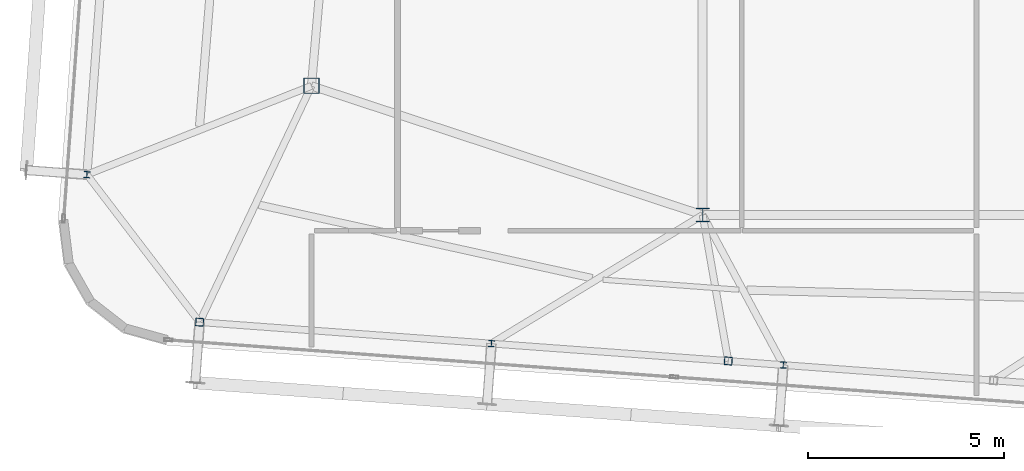
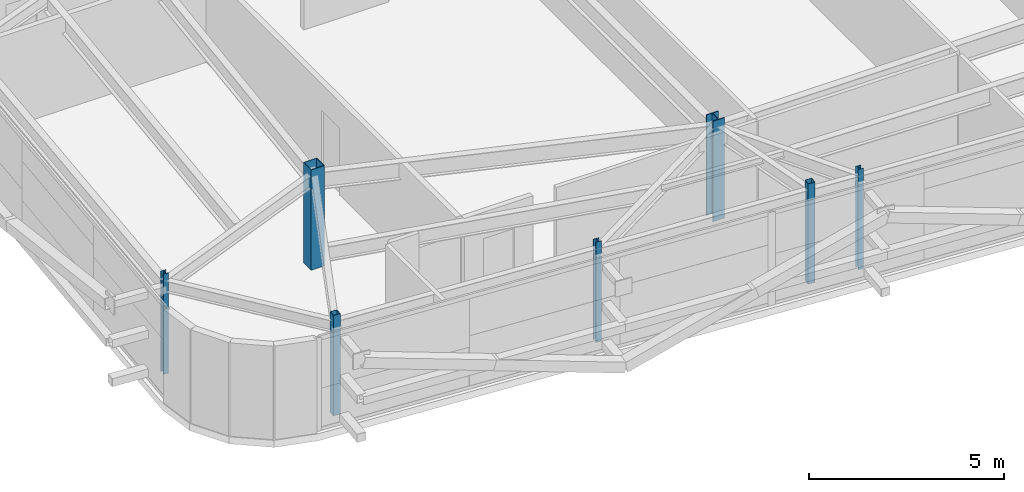
# One storey, part 1 of 34: 7 columns.
"""IFC4 building model written with IfcOpenShell, lengths in metres."""

from ifc_helpers import new_model, si_unit, direction, frame, origin, origin_2d, place, context, subcontext, project, spatial, hollow_rectangle, i_section, extrude, source, transform, mapped, material, material_profile, profile_set, type_object, element, save


model = new_model("IFC4")

# Units and contexts
model_context = context("Model", 3, precision=1e-05, world=origin(), true_north=direction((0.0, 1.0)))
body_context = subcontext(model_context, "Body", "Model", "MODEL_VIEW")
ifc_project = project(units=[si_unit("LENGTHUNIT", "METRE"), si_unit("AREAUNIT", "SQUARE_METRE"), si_unit("VOLUMEUNIT", "CUBIC_METRE"), si_unit("PLANEANGLEUNIT", "RADIAN"), si_unit("MASSUNIT", "GRAM", prefix="KILO")], contexts=[model_context])

# Site, building, storey
site_placement = place(None, origin())
site = spatial("IfcSite", under=ifc_project, at=site_placement, CompositionType="ELEMENT")
building_placement = place(site_placement, origin())
building = spatial("IfcBuilding", under=site, at=building_placement, Name="Taldren Reach Tower", CompositionType="ELEMENT")
storey_placement = place(building_placement, frame((0.0, 0.0, 239.75)))
storey = spatial("IfcBuildingStorey", under=building, at=storey_placement, Name="L73", CompositionType="ELEMENT", Elevation=239.75)

# Columns
ifc_material_1 = material(Name="Steel Gr 350 (350PLUS)", Category="steel")
ifc_material_profile_1 = material_profile(ifc_material_1, i_section(OverallWidth=0.35009765625, OverallDepth=0.35595703125, WebThickness=0.01806640625, FlangeThickness=0.028076171875, at=origin_2d()), Name="350WC197")
ifc_profile_set_1 = profile_set([ifc_material_profile_1], Name="Steel Gr 350 (350PLUS)")
column_type_1 = type_object("IfcColumnType", Name="COL-WC350", PredefinedType="COLUMN", material=ifc_profile_set_1)
shared_shape_1 = source(origin(), body_context, "Body", "SweptSolid", [
    extrude(i_section(OverallWidth=0.35009765625, OverallDepth=0.35595703125, WebThickness=0.01806640625, FlangeThickness=0.028076171875, at=origin_2d()), origin(), (0.0, 0.0, 1.0), 3.14990234375),
])
column_1_placement = place(storey_placement, frame((28.0, 9.199951171875, 0.0), z_axis=(0.0, 0.0, 1.0), x_axis=(1.0, 0.0, 0.0)))
element("IfcColumn", 1, at=column_1_placement, inside=storey, type_object=column_type_1, Name="Mega column MC-PJW L73", PredefinedType="COLUMN", context=body_context, shape_type="MappedRepresentation", body=[
    mapped(shared_shape_1, transform((0.0, 0.0, 0.0), scale=1.0)),
])
ifc_material_2 = material(Name="Steel Gr 450 (C450L0)", Category="steel")
ifc_material_profile_2 = material_profile(ifc_material_2, hollow_rectangle(XDim=0.39990234375, YDim=0.39990234375, WallThickness=0.01611328125, at=origin_2d()), Name="400x400x16.0SHS")
ifc_profile_set_2 = profile_set([ifc_material_profile_2], Name="Steel Gr 450 (C450L0)")
column_type_2 = type_object("IfcColumnType", Name="COL-SHS400", PredefinedType="COLUMN", material=ifc_profile_set_2)
shared_shape_2 = source(origin(), body_context, "Body", "SweptSolid", [
    extrude(hollow_rectangle(XDim=0.39990234375, YDim=0.39990234375, WallThickness=0.01611328125, at=origin_2d()), origin(), (0.0, 0.0, 1.0), 3.14990234375),
])
column_2_placement = place(storey_placement, frame((18.0, 12.5, 0.0), z_axis=(0.0, 0.0, 1.0), x_axis=(1.0, 0.0, 0.0)))
element("IfcColumn", 2, at=column_2_placement, inside=storey, type_object=column_type_2, Name="Mega column MC-SW L73", PredefinedType="COLUMN", context=body_context, shape_type="MappedRepresentation", body=[
    mapped(shared_shape_2, transform((0.0, 0.0, 0.0), scale=1.0)),
])
ifc_material_3 = material(Name="Steel Gr 350 (C350L0)", Category="steel")
ifc_material_profile_3 = material_profile(ifc_material_3, hollow_rectangle(XDim=0.199951171875, YDim=0.199951171875, WallThickness=0.009033203125, at=origin_2d()), Name="200x200x9.0SHS")
ifc_profile_set_3 = profile_set([ifc_material_profile_3], Name="Steel Gr 350 (C350L0)")
column_type_3 = type_object("IfcColumnType", Name="COL-SHS200", PredefinedType="COLUMN", material=ifc_profile_set_3)
shared_shape_3 = source(origin(), body_context, "Body", "SweptSolid", [
    extrude(hollow_rectangle(XDim=0.199951171875, YDim=0.199951171875, WallThickness=0.009033203125, at=origin_2d()), origin(), (0.0, 0.0, 1.0), 3.14990234375),
])
for number, where, z_axis, x_axis, name in (
    (3, (15.140625, 6.460205078125, 0.0), (0.0, 0.0, 1.0), (0.997314477224, -0.073238197128, 0.0), "Block B5 perimeter column S1 L73"),
    (4, (28.654296875, 5.4677734375, 0.0), (0.0, 0.0, 1.0), (0.997314477224, -0.073238197128, 0.0), "Block B5 perimeter column PJ1 L73"),
):
    element("IfcColumn", number, at=place(storey_placement, frame(where, z_axis=z_axis, x_axis=x_axis)), inside=storey, type_object=column_type_3, Name=name, PredefinedType="COLUMN", context=body_context, shape_type="MappedRepresentation", body=[
        mapped(shared_shape_3, transform((0.0, 0.0, 0.0), scale=1.0)),
    ])
ifc_material_profile_4 = material_profile(ifc_material_1, i_section(OverallWidth=0.154052734375, OverallDepth=0.162109375, WebThickness=0.008056640625, FlangeThickness=0.011474609375, at=origin_2d()), Name="150UC37.2")
ifc_profile_set_4 = profile_set([ifc_material_profile_4], Name="Steel Gr 350 (350PLUS)")
column_type_4 = type_object("IfcColumnType", Name="COL-UC150", PredefinedType="COLUMN", material=ifc_profile_set_4)
shared_shape_4 = source(origin(), body_context, "Body", "SweptSolid", [
    extrude(i_section(OverallWidth=0.154052734375, OverallDepth=0.162109375, WebThickness=0.008056640625, FlangeThickness=0.011474609375, at=origin_2d()), origin(), (0.0, 0.0, 1.0), 3.14990234375),
])
for number, where, z_axis, x_axis, name in (
    (5, (22.6005859375, 5.912353515625, 0.0), (0.0, 0.0, 1.0), (0.997314477224, -0.073238197128, 0.0), "Block B5 perimeter column S2 L73"),
    (6, (30.060546875, 5.364501953125, 0.0), (0.0, 0.0, 1.0), (0.997314477224, -0.073238197128, 0.0), "Block B5 perimeter column S3 L73"),
    (7, (12.259033203125, 10.2314453125, 0.0), (0.0, 0.0, 1.0), (0.997314477224, -0.073238197128, 0.0), "Block B5 perimeter column W1 L73"),
):
    element("IfcColumn", number, at=place(storey_placement, frame(where, z_axis=z_axis, x_axis=x_axis)), inside=storey, type_object=column_type_4, Name=name, PredefinedType="COLUMN", context=body_context, shape_type="MappedRepresentation", body=[
        mapped(shared_shape_4, transform((0.0, 0.0, 0.0), scale=1.0)),
    ])

save(model, "model.ifc")
